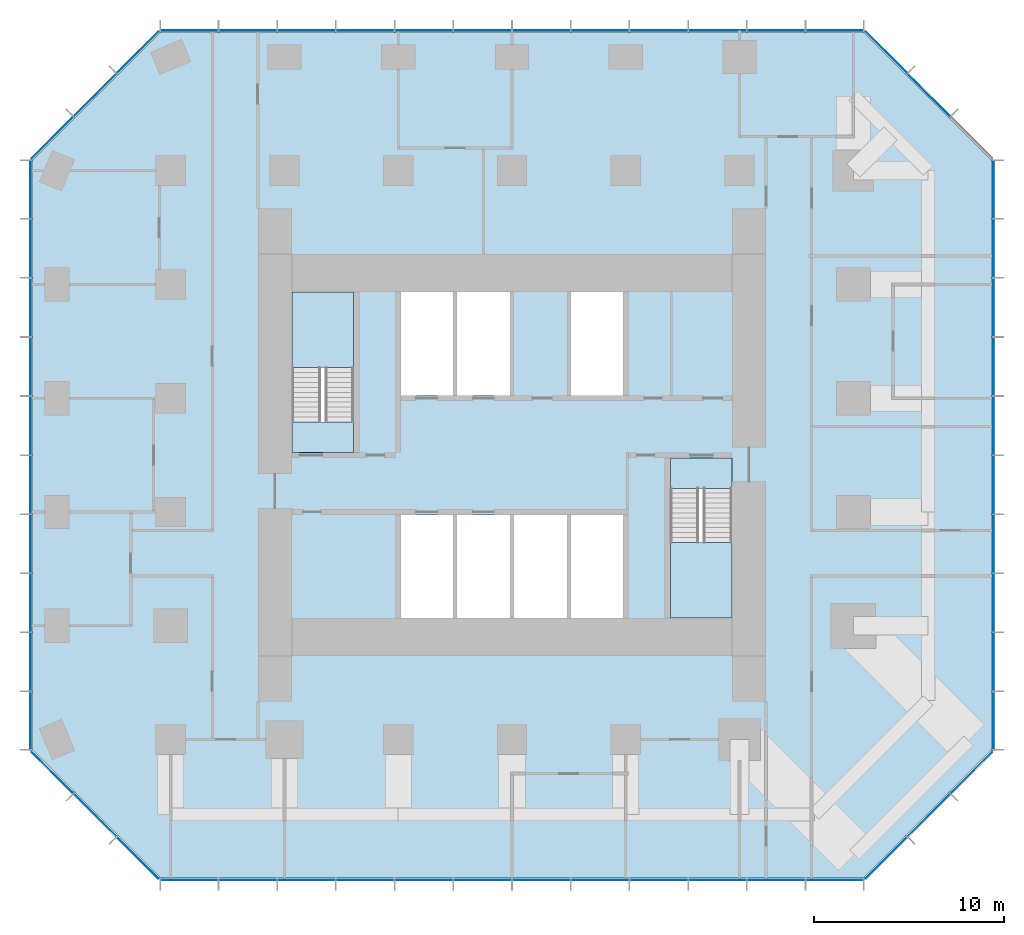
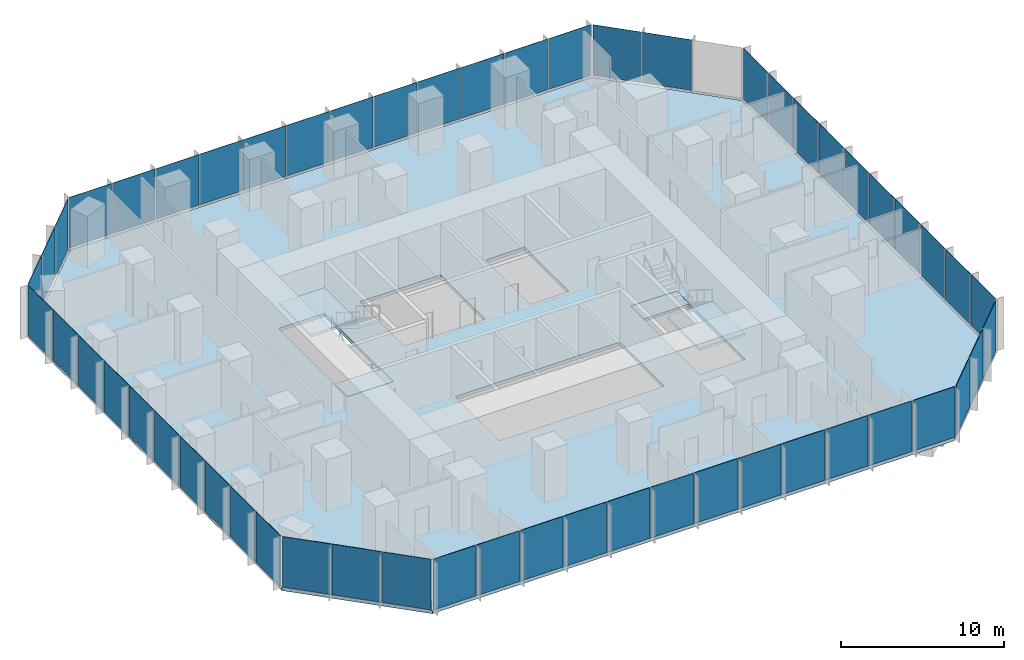
# One storey, part 7 of 11: 55 plates, 5 slabs, 10 elements without a shape of their own.
"""IFC4 building model written with IfcOpenShell, lengths in metres."""

from ifc_helpers import new_model, si_unit, direction, frame, origin, origin_2d, place, context, subcontext, project, spatial, polyline, rectangle, outline, extrude, material, layer, layer_set, type_object, element, aggregate, save


model = new_model("IFC4")

# Units and contexts
model_context = context("Model", 3, precision=1e-05, world=origin(), true_north=direction((0.0, 1.0)))
body_context = subcontext(model_context, "Body", "Model", "MODEL_VIEW")
ifc_project = project(units=[si_unit("LENGTHUNIT", "METRE"), si_unit("AREAUNIT", "SQUARE_METRE"), si_unit("VOLUMEUNIT", "CUBIC_METRE"), si_unit("PLANEANGLEUNIT", "RADIAN"), si_unit("MASSUNIT", "GRAM", prefix="KILO")], contexts=[model_context])

# Site, building, storey
site_placement = place(None, origin())
site = spatial("IfcSite", under=ifc_project, at=site_placement, CompositionType="ELEMENT")
building_placement = place(site_placement, origin())
building = spatial("IfcBuilding", under=site, at=building_placement, Name="Highveld Stack Headquarters", CompositionType="ELEMENT")
storey_placement = place(building_placement, frame((0.0, 0.0, 144.5)))
storey = spatial("IfcBuildingStorey", under=building, at=storey_placement, Name="L35", CompositionType="ELEMENT", Elevation=144.5)

# Curtain wall, plates
ifc_material_1 = material(Name="Aluminium bronze anodised", Category="aluminium")
ifc_layer_1 = layer(ifc_material_1, 0.199951171875)
ifc_layer_set_1 = layer_set([ifc_layer_1], Name="Aluminium bronze anodised")
curtain_wall_type_1 = type_object("IfcCurtainWallType", Name="CW1 TOWER UNITISED CURTAIN WALL", PredefinedType="NOTDEFINED", material=ifc_layer_set_1)
curtain_wall_1_placement = place(storey_placement, origin())
curtain_wall_1 = element("IfcCurtainWall", 1, at=curtain_wall_1_placement, inside=storey, type_object=curtain_wall_type_1, Name="Curtain wall CW1 L35 S", PredefinedType="NOTDEFINED")
ifc_material_2 = material(Name="Glass bronze tinted double glazed unit", Category="glass")
ifc_layer_2 = layer(ifc_material_2, 0.028076171875)
ifc_layer_set_2 = layer_set([ifc_layer_2], Name="Glass bronze tinted double glazed unit")
plate_type_1 = type_object("IfcPlateType", Name="CW1 PANEL BRONZE TINTED DOUBLE GLAZED UNIT", PredefinedType="CURTAIN_PANEL", material=ifc_layer_set_2)
plate_1_placement = place(storey_placement, frame((-11.015380859375, -19.39990234375, 0.10009765625), z_axis=(0.0, 0.0, 1.0), x_axis=(1.0, 0.0, 0.0)))
plate_1 = element("IfcPlate", 2, at=plate_1_placement, type_object=plate_type_1, Name="CW1 panel L35 1.1", PredefinedType="CURTAIN_PANEL", context=body_context, shape_type="SweptSolid", body=[
    extrude(rectangle(XDim=2.9990234375, YDim=0.028076171875, at=origin_2d()), origin(), (0.0, 0.0, 1.0), 3.800048828125),
])
plate_2_placement = place(storey_placement, frame((-7.934814453125, -19.39990234375, 0.10009765625), z_axis=(0.0, 0.0, 1.0), x_axis=(1.0, 0.0, 0.0)))
plate_2 = element("IfcPlate", 3, at=plate_2_placement, type_object=plate_type_1, Name="CW1 panel L35 2.1", PredefinedType="CURTAIN_PANEL", context=body_context, shape_type="SweptSolid", body=[
    extrude(rectangle(XDim=3.031494140625, YDim=0.028076171875, at=origin_2d()), origin(), (0.0, 0.0, 1.0), 3.800048828125),
])
plate_3_placement = place(storey_placement, frame((-4.83837890625, -19.39990234375, 0.10009765625), z_axis=(0.0, 0.0, 1.0), x_axis=(1.0, 0.0, 0.0)))
plate_3 = element("IfcPlate", 4, at=plate_3_placement, type_object=plate_type_1, Name="CW1 panel L35 3.1", PredefinedType="CURTAIN_PANEL", context=body_context, shape_type="SweptSolid", body=[
    extrude(rectangle(XDim=3.031494140625, YDim=0.028076171875, at=origin_2d()), origin(), (0.0, 0.0, 1.0), 3.800048828125),
])
plate_4_placement = place(storey_placement, frame((-1.74169921875, -19.39990234375, 0.10009765625), z_axis=(0.0, 0.0, 1.0), x_axis=(1.0, 0.0, 0.0)))
plate_4 = element("IfcPlate", 5, at=plate_4_placement, type_object=plate_type_1, Name="CW1 panel L35 4.1", PredefinedType="CURTAIN_PANEL", context=body_context, shape_type="SweptSolid", body=[
    extrude(rectangle(XDim=3.031494140625, YDim=0.028076171875, at=origin_2d()), origin(), (0.0, 0.0, 1.0), 3.800048828125),
])
plate_5_placement = place(storey_placement, frame((1.35498046875, -19.39990234375, 0.10009765625), z_axis=(0.0, 0.0, 1.0), x_axis=(1.0, 0.0, 0.0)))
plate_5 = element("IfcPlate", 6, at=plate_5_placement, type_object=plate_type_1, Name="CW1 panel L35 5.1", PredefinedType="CURTAIN_PANEL", context=body_context, shape_type="SweptSolid", body=[
    extrude(rectangle(XDim=3.031494140625, YDim=0.028076171875, at=origin_2d()), origin(), (0.0, 0.0, 1.0), 3.800048828125),
])
plate_6_placement = place(storey_placement, frame((4.45166015625, -19.39990234375, 0.10009765625), z_axis=(0.0, 0.0, 1.0), x_axis=(1.0, 0.0, 0.0)))
plate_6 = element("IfcPlate", 7, at=plate_6_placement, type_object=plate_type_1, Name="CW1 panel L35 6.1", PredefinedType="CURTAIN_PANEL", context=body_context, shape_type="SweptSolid", body=[
    extrude(rectangle(XDim=3.031494140625, YDim=0.028076171875, at=origin_2d()), origin(), (0.0, 0.0, 1.0), 3.800048828125),
])
plate_7_placement = place(storey_placement, frame((7.54833984375, -19.39990234375, 0.10009765625), z_axis=(0.0, 0.0, 1.0), x_axis=(1.0, 0.0, 0.0)))
plate_7 = element("IfcPlate", 8, at=plate_7_placement, type_object=plate_type_1, Name="CW1 panel L35 7.1", PredefinedType="CURTAIN_PANEL", context=body_context, shape_type="SweptSolid", body=[
    extrude(rectangle(XDim=3.03173828125, YDim=0.028076171875, at=origin_2d()), origin(), (0.0, 0.0, 1.0), 3.800048828125),
])
plate_8_placement = place(storey_placement, frame((10.64501953125, -19.39990234375, 0.10009765625), z_axis=(0.0, 0.0, 1.0), x_axis=(1.0, 0.0, 0.0)))
plate_8 = element("IfcPlate", 9, at=plate_8_placement, type_object=plate_type_1, Name="CW1 panel L35 8.1", PredefinedType="CURTAIN_PANEL", context=body_context, shape_type="SweptSolid", body=[
    extrude(rectangle(XDim=3.03173828125, YDim=0.028076171875, at=origin_2d()), origin(), (0.0, 0.0, 1.0), 3.800048828125),
])
plate_9_placement = place(storey_placement, frame((13.74169921875, -19.39990234375, 0.10009765625), z_axis=(0.0, 0.0, 1.0), x_axis=(1.0, 0.0, 0.0)))
plate_9 = element("IfcPlate", 10, at=plate_9_placement, type_object=plate_type_1, Name="CW1 panel L35 9.1", PredefinedType="CURTAIN_PANEL", context=body_context, shape_type="SweptSolid", body=[
    extrude(rectangle(XDim=3.03173828125, YDim=0.028076171875, at=origin_2d()), origin(), (0.0, 0.0, 1.0), 3.800048828125),
])
plate_10_placement = place(storey_placement, frame((16.83837890625, -19.39990234375, 0.10009765625), z_axis=(0.0, 0.0, 1.0), x_axis=(1.0, 0.0, 0.0)))
plate_10 = element("IfcPlate", 11, at=plate_10_placement, type_object=plate_type_1, Name="CW1 panel L35 10.1", PredefinedType="CURTAIN_PANEL", context=body_context, shape_type="SweptSolid", body=[
    extrude(rectangle(XDim=3.03173828125, YDim=0.028076171875, at=origin_2d()), origin(), (0.0, 0.0, 1.0), 3.800048828125),
])
plate_11_placement = place(storey_placement, frame((19.934814453125, -19.39990234375, 0.10009765625), z_axis=(0.0, 0.0, 1.0), x_axis=(1.0, 0.0, 0.0)))
plate_11 = element("IfcPlate", 12, at=plate_11_placement, type_object=plate_type_1, Name="CW1 panel L35 11.1", PredefinedType="CURTAIN_PANEL", context=body_context, shape_type="SweptSolid", body=[
    extrude(rectangle(XDim=3.03173828125, YDim=0.028076171875, at=origin_2d()), origin(), (0.0, 0.0, 1.0), 3.800048828125),
])
plate_12_placement = place(storey_placement, frame((23.015380859375, -19.39990234375, 0.10009765625), z_axis=(0.0, 0.0, 1.0), x_axis=(1.0, 0.0, 0.0)))
plate_12 = element("IfcPlate", 13, at=plate_12_placement, type_object=plate_type_1, Name="CW1 panel L35 12.1", PredefinedType="CURTAIN_PANEL", context=body_context, shape_type="SweptSolid", body=[
    extrude(rectangle(XDim=2.999267578125, YDim=0.028076171875, at=origin_2d()), origin(), (0.0, 0.0, 1.0), 3.800048828125),
])
aggregate(curtain_wall_1, [plate_1, plate_2, plate_3, plate_4, plate_5, plate_6, plate_7, plate_8, plate_9, plate_10, plate_11, plate_12])

curtain_wall_2_placement = place(storey_placement, origin())
curtain_wall_2 = element("IfcCurtainWall", 14, at=curtain_wall_2_placement, inside=storey, type_object=curtain_wall_type_1, Name="Curtain wall CW1 L35 E", PredefinedType="NOTDEFINED")
plate_13_placement = place(storey_placement, frame((31.39990234375, -11.005615234375, 0.10009765625), z_axis=(0.0, 0.0, 1.0), x_axis=(0.0, 1.0, 0.0)))
plate_13 = element("IfcPlate", 15, at=plate_13_placement, type_object=plate_type_1, Name="CW1 panel L35 1.1", PredefinedType="CURTAIN_PANEL", context=body_context, shape_type="SweptSolid", body=[
    extrude(rectangle(XDim=3.0185546875, YDim=0.028076171875, at=origin_2d()), origin(), (0.0, 0.0, 1.0), 3.800048828125),
])
plate_14_placement = place(storey_placement, frame((31.39990234375, -7.906005859375, 0.10009765625), z_axis=(0.0, 0.0, 1.0), x_axis=(0.0, 1.0, 0.0)))
plate_14 = element("IfcPlate", 16, at=plate_14_placement, type_object=plate_type_1, Name="CW1 panel L35 2.1", PredefinedType="CURTAIN_PANEL", context=body_context, shape_type="SweptSolid", body=[
    extrude(rectangle(XDim=3.051025390625, YDim=0.028076171875, at=origin_2d()), origin(), (0.0, 0.0, 1.0), 3.800048828125),
])
plate_15_placement = place(storey_placement, frame((31.39990234375, -4.7900390625, 0.10009765625), z_axis=(0.0, 0.0, 1.0), x_axis=(0.0, 1.0, 0.0)))
plate_15 = element("IfcPlate", 17, at=plate_15_placement, type_object=plate_type_1, Name="CW1 panel L35 3.1", PredefinedType="CURTAIN_PANEL", context=body_context, shape_type="SweptSolid", body=[
    extrude(rectangle(XDim=3.051025390625, YDim=0.028076171875, at=origin_2d()), origin(), (0.0, 0.0, 1.0), 3.800048828125),
])
plate_16_placement = place(storey_placement, frame((31.39990234375, -1.674072265625, 0.10009765625), z_axis=(0.0, 0.0, 1.0), x_axis=(0.0, 1.0, 0.0)))
plate_16 = element("IfcPlate", 18, at=plate_16_placement, type_object=plate_type_1, Name="CW1 panel L35 4.1", PredefinedType="CURTAIN_PANEL", context=body_context, shape_type="SweptSolid", body=[
    extrude(rectangle(XDim=3.051025390625, YDim=0.028076171875, at=origin_2d()), origin(), (0.0, 0.0, 1.0), 3.800048828125),
])
plate_17_placement = place(storey_placement, frame((31.39990234375, 1.44189453125, 0.10009765625), z_axis=(0.0, 0.0, 1.0), x_axis=(0.0, 1.0, 0.0)))
plate_17 = element("IfcPlate", 19, at=plate_17_placement, type_object=plate_type_1, Name="CW1 panel L35 5.1", PredefinedType="CURTAIN_PANEL", context=body_context, shape_type="SweptSolid", body=[
    extrude(rectangle(XDim=3.051025390625, YDim=0.028076171875, at=origin_2d()), origin(), (0.0, 0.0, 1.0), 3.800048828125),
])
plate_18_placement = place(storey_placement, frame((31.39990234375, 4.55810546875, 0.10009765625), z_axis=(0.0, 0.0, 1.0), x_axis=(0.0, 1.0, 0.0)))
plate_18 = element("IfcPlate", 20, at=plate_18_placement, type_object=plate_type_1, Name="CW1 panel L35 6.1", PredefinedType="CURTAIN_PANEL", context=body_context, shape_type="SweptSolid", body=[
    extrude(rectangle(XDim=3.051025390625, YDim=0.028076171875, at=origin_2d()), origin(), (0.0, 0.0, 1.0), 3.800048828125),
])
plate_19_placement = place(storey_placement, frame((31.39990234375, 7.674072265625, 0.10009765625), z_axis=(0.0, 0.0, 1.0), x_axis=(0.0, 1.0, 0.0)))
plate_19 = element("IfcPlate", 21, at=plate_19_placement, type_object=plate_type_1, Name="CW1 panel L35 7.1", PredefinedType="CURTAIN_PANEL", context=body_context, shape_type="SweptSolid", body=[
    extrude(rectangle(XDim=3.051025390625, YDim=0.028076171875, at=origin_2d()), origin(), (0.0, 0.0, 1.0), 3.800048828125),
])
plate_20_placement = place(storey_placement, frame((31.39990234375, 10.789794921875, 0.10009765625), z_axis=(0.0, 0.0, 1.0), x_axis=(0.0, 1.0, 0.0)))
plate_20 = element("IfcPlate", 22, at=plate_20_placement, type_object=plate_type_1, Name="CW1 panel L35 8.1", PredefinedType="CURTAIN_PANEL", context=body_context, shape_type="SweptSolid", body=[
    extrude(rectangle(XDim=3.051025390625, YDim=0.028076171875, at=origin_2d()), origin(), (0.0, 0.0, 1.0), 3.800048828125),
])
plate_21_placement = place(storey_placement, frame((31.39990234375, 13.906005859375, 0.10009765625), z_axis=(0.0, 0.0, 1.0), x_axis=(0.0, 1.0, 0.0)))
plate_21 = element("IfcPlate", 23, at=plate_21_placement, type_object=plate_type_1, Name="CW1 panel L35 9.1", PredefinedType="CURTAIN_PANEL", context=body_context, shape_type="SweptSolid", body=[
    extrude(rectangle(XDim=3.051025390625, YDim=0.028076171875, at=origin_2d()), origin(), (0.0, 0.0, 1.0), 3.800048828125),
])
plate_22_placement = place(storey_placement, frame((31.39990234375, 17.005615234375, 0.10009765625), z_axis=(0.0, 0.0, 1.0), x_axis=(0.0, 1.0, 0.0)))
plate_22 = element("IfcPlate", 24, at=plate_22_placement, type_object=plate_type_1, Name="CW1 panel L35 10.1", PredefinedType="CURTAIN_PANEL", context=body_context, shape_type="SweptSolid", body=[
    extrude(rectangle(XDim=3.0185546875, YDim=0.028076171875, at=origin_2d()), origin(), (0.0, 0.0, 1.0), 3.800048828125),
])
aggregate(curtain_wall_2, [plate_13, plate_14, plate_15, plate_16, plate_17, plate_18, plate_19, plate_20, plate_21, plate_22])

curtain_wall_3_placement = place(storey_placement, origin())
curtain_wall_3 = element("IfcCurtainWall", 25, at=curtain_wall_3_placement, inside=storey, type_object=curtain_wall_type_1, Name="Curtain wall CW1 L35 N", PredefinedType="NOTDEFINED")
plate_23_placement = place(storey_placement, frame((23.015380859375, 25.39990234375, 0.10009765625), z_axis=(0.0, 0.0, 1.0), x_axis=(-1.0, 0.0, 0.0)))
plate_23 = element("IfcPlate", 26, at=plate_23_placement, type_object=plate_type_1, Name="CW1 panel L35 1.1", PredefinedType="CURTAIN_PANEL", context=body_context, shape_type="SweptSolid", body=[
    extrude(rectangle(XDim=2.9990234375, YDim=0.028076171875, at=origin_2d()), origin(), (0.0, 0.0, 1.0), 3.800048828125),
])
plate_24_placement = place(storey_placement, frame((19.934814453125, 25.39990234375, 0.10009765625), z_axis=(0.0, 0.0, 1.0), x_axis=(-1.0, 0.0, 0.0)))
plate_24 = element("IfcPlate", 27, at=plate_24_placement, type_object=plate_type_1, Name="CW1 panel L35 2.1", PredefinedType="CURTAIN_PANEL", context=body_context, shape_type="SweptSolid", body=[
    extrude(rectangle(XDim=3.031494140625, YDim=0.028076171875, at=origin_2d()), origin(), (0.0, 0.0, 1.0), 3.800048828125),
])
plate_25_placement = place(storey_placement, frame((16.83837890625, 25.39990234375, 0.10009765625), z_axis=(0.0, 0.0, 1.0), x_axis=(-1.0, 0.0, 0.0)))
plate_25 = element("IfcPlate", 28, at=plate_25_placement, type_object=plate_type_1, Name="CW1 panel L35 3.1", PredefinedType="CURTAIN_PANEL", context=body_context, shape_type="SweptSolid", body=[
    extrude(rectangle(XDim=3.031494140625, YDim=0.028076171875, at=origin_2d()), origin(), (0.0, 0.0, 1.0), 3.800048828125),
])
plate_26_placement = place(storey_placement, frame((13.74169921875, 25.39990234375, 0.10009765625), z_axis=(0.0, 0.0, 1.0), x_axis=(-1.0, 0.0, 0.0)))
plate_26 = element("IfcPlate", 29, at=plate_26_placement, type_object=plate_type_1, Name="CW1 panel L35 4.1", PredefinedType="CURTAIN_PANEL", context=body_context, shape_type="SweptSolid", body=[
    extrude(rectangle(XDim=3.031494140625, YDim=0.028076171875, at=origin_2d()), origin(), (0.0, 0.0, 1.0), 3.800048828125),
])
plate_27_placement = place(storey_placement, frame((10.64501953125, 25.39990234375, 0.10009765625), z_axis=(0.0, 0.0, 1.0), x_axis=(-1.0, 0.0, 0.0)))
plate_27 = element("IfcPlate", 30, at=plate_27_placement, type_object=plate_type_1, Name="CW1 panel L35 5.1", PredefinedType="CURTAIN_PANEL", context=body_context, shape_type="SweptSolid", body=[
    extrude(rectangle(XDim=3.031494140625, YDim=0.028076171875, at=origin_2d()), origin(), (0.0, 0.0, 1.0), 3.800048828125),
])
plate_28_placement = place(storey_placement, frame((7.54833984375, 25.39990234375, 0.10009765625), z_axis=(0.0, 0.0, 1.0), x_axis=(-1.0, 0.0, 0.0)))
plate_28 = element("IfcPlate", 31, at=plate_28_placement, type_object=plate_type_1, Name="CW1 panel L35 6.1", PredefinedType="CURTAIN_PANEL", context=body_context, shape_type="SweptSolid", body=[
    extrude(rectangle(XDim=3.031494140625, YDim=0.028076171875, at=origin_2d()), origin(), (0.0, 0.0, 1.0), 3.800048828125),
])
plate_29_placement = place(storey_placement, frame((4.45166015625, 25.39990234375, 0.10009765625), z_axis=(0.0, 0.0, 1.0), x_axis=(-1.0, 0.0, 0.0)))
plate_29 = element("IfcPlate", 32, at=plate_29_placement, type_object=plate_type_1, Name="CW1 panel L35 7.1", PredefinedType="CURTAIN_PANEL", context=body_context, shape_type="SweptSolid", body=[
    extrude(rectangle(XDim=3.03173828125, YDim=0.028076171875, at=origin_2d()), origin(), (0.0, 0.0, 1.0), 3.800048828125),
])
plate_30_placement = place(storey_placement, frame((1.35498046875, 25.39990234375, 0.10009765625), z_axis=(0.0, 0.0, 1.0), x_axis=(-1.0, 0.0, 0.0)))
plate_30 = element("IfcPlate", 33, at=plate_30_placement, type_object=plate_type_1, Name="CW1 panel L35 8.1", PredefinedType="CURTAIN_PANEL", context=body_context, shape_type="SweptSolid", body=[
    extrude(rectangle(XDim=3.03173828125, YDim=0.028076171875, at=origin_2d()), origin(), (0.0, 0.0, 1.0), 3.800048828125),
])
plate_31_placement = place(storey_placement, frame((-1.74169921875, 25.39990234375, 0.10009765625), z_axis=(0.0, 0.0, 1.0), x_axis=(-1.0, 0.0, 0.0)))
plate_31 = element("IfcPlate", 34, at=plate_31_placement, type_object=plate_type_1, Name="CW1 panel L35 9.1", PredefinedType="CURTAIN_PANEL", context=body_context, shape_type="SweptSolid", body=[
    extrude(rectangle(XDim=3.03173828125, YDim=0.028076171875, at=origin_2d()), origin(), (0.0, 0.0, 1.0), 3.800048828125),
])
plate_32_placement = place(storey_placement, frame((-4.83837890625, 25.39990234375, 0.10009765625), z_axis=(0.0, 0.0, 1.0), x_axis=(-1.0, 0.0, 0.0)))
plate_32 = element("IfcPlate", 35, at=plate_32_placement, type_object=plate_type_1, Name="CW1 panel L35 10.1", PredefinedType="CURTAIN_PANEL", context=body_context, shape_type="SweptSolid", body=[
    extrude(rectangle(XDim=3.03173828125, YDim=0.028076171875, at=origin_2d()), origin(), (0.0, 0.0, 1.0), 3.800048828125),
])
plate_33_placement = place(storey_placement, frame((-7.934814453125, 25.39990234375, 0.10009765625), z_axis=(0.0, 0.0, 1.0), x_axis=(-1.0, 0.0, 0.0)))
plate_33 = element("IfcPlate", 36, at=plate_33_placement, type_object=plate_type_1, Name="CW1 panel L35 11.1", PredefinedType="CURTAIN_PANEL", context=body_context, shape_type="SweptSolid", body=[
    extrude(rectangle(XDim=3.03173828125, YDim=0.028076171875, at=origin_2d()), origin(), (0.0, 0.0, 1.0), 3.800048828125),
])
plate_34_placement = place(storey_placement, frame((-11.015380859375, 25.39990234375, 0.10009765625), z_axis=(0.0, 0.0, 1.0), x_axis=(-1.0, 0.0, 0.0)))
plate_34 = element("IfcPlate", 37, at=plate_34_placement, type_object=plate_type_1, Name="CW1 panel L35 12.1", PredefinedType="CURTAIN_PANEL", context=body_context, shape_type="SweptSolid", body=[
    extrude(rectangle(XDim=2.999267578125, YDim=0.028076171875, at=origin_2d()), origin(), (0.0, 0.0, 1.0), 3.800048828125),
])
aggregate(curtain_wall_3, [plate_23, plate_24, plate_25, plate_26, plate_27, plate_28, plate_29, plate_30, plate_31, plate_32, plate_33, plate_34])

curtain_wall_4_placement = place(storey_placement, origin())
curtain_wall_4 = element("IfcCurtainWall", 38, at=curtain_wall_4_placement, inside=storey, type_object=curtain_wall_type_1, Name="Curtain wall CW1 L35 W", PredefinedType="NOTDEFINED")
plate_35_placement = place(storey_placement, frame((-19.39990234375, 17.005615234375, 0.10009765625), z_axis=(0.0, 0.0, 1.0), x_axis=(0.0, -1.0, 0.0)))
plate_35 = element("IfcPlate", 39, at=plate_35_placement, type_object=plate_type_1, Name="CW1 panel L35 1.1", PredefinedType="CURTAIN_PANEL", context=body_context, shape_type="SweptSolid", body=[
    extrude(rectangle(XDim=3.0185546875, YDim=0.028076171875, at=origin_2d()), origin(), (0.0, 0.0, 1.0), 3.800048828125),
])
plate_36_placement = place(storey_placement, frame((-19.39990234375, 13.906005859375, 0.10009765625), z_axis=(0.0, 0.0, 1.0), x_axis=(0.0, -1.0, 0.0)))
plate_36 = element("IfcPlate", 40, at=plate_36_placement, type_object=plate_type_1, Name="CW1 panel L35 2.1", PredefinedType="CURTAIN_PANEL", context=body_context, shape_type="SweptSolid", body=[
    extrude(rectangle(XDim=3.051025390625, YDim=0.028076171875, at=origin_2d()), origin(), (0.0, 0.0, 1.0), 3.800048828125),
])
plate_37_placement = place(storey_placement, frame((-19.39990234375, 10.7900390625, 0.10009765625), z_axis=(0.0, 0.0, 1.0), x_axis=(0.0, -1.0, 0.0)))
plate_37 = element("IfcPlate", 41, at=plate_37_placement, type_object=plate_type_1, Name="CW1 panel L35 3.1", PredefinedType="CURTAIN_PANEL", context=body_context, shape_type="SweptSolid", body=[
    extrude(rectangle(XDim=3.051025390625, YDim=0.028076171875, at=origin_2d()), origin(), (0.0, 0.0, 1.0), 3.800048828125),
])
plate_38_placement = place(storey_placement, frame((-19.39990234375, 7.674072265625, 0.10009765625), z_axis=(0.0, 0.0, 1.0), x_axis=(0.0, -1.0, 0.0)))
plate_38 = element("IfcPlate", 42, at=plate_38_placement, type_object=plate_type_1, Name="CW1 panel L35 4.1", PredefinedType="CURTAIN_PANEL", context=body_context, shape_type="SweptSolid", body=[
    extrude(rectangle(XDim=3.051025390625, YDim=0.028076171875, at=origin_2d()), origin(), (0.0, 0.0, 1.0), 3.800048828125),
])
plate_39_placement = place(storey_placement, frame((-19.39990234375, 4.55810546875, 0.10009765625), z_axis=(0.0, 0.0, 1.0), x_axis=(0.0, -1.0, 0.0)))
plate_39 = element("IfcPlate", 43, at=plate_39_placement, type_object=plate_type_1, Name="CW1 panel L35 5.1", PredefinedType="CURTAIN_PANEL", context=body_context, shape_type="SweptSolid", body=[
    extrude(rectangle(XDim=3.051025390625, YDim=0.028076171875, at=origin_2d()), origin(), (0.0, 0.0, 1.0), 3.800048828125),
])
plate_40_placement = place(storey_placement, frame((-19.39990234375, 1.44189453125, 0.10009765625), z_axis=(0.0, 0.0, 1.0), x_axis=(0.0, -1.0, 0.0)))
plate_40 = element("IfcPlate", 44, at=plate_40_placement, type_object=plate_type_1, Name="CW1 panel L35 6.1", PredefinedType="CURTAIN_PANEL", context=body_context, shape_type="SweptSolid", body=[
    extrude(rectangle(XDim=3.051025390625, YDim=0.028076171875, at=origin_2d()), origin(), (0.0, 0.0, 1.0), 3.800048828125),
])
plate_41_placement = place(storey_placement, frame((-19.39990234375, -1.674072265625, 0.10009765625), z_axis=(0.0, 0.0, 1.0), x_axis=(0.0, -1.0, 0.0)))
plate_41 = element("IfcPlate", 45, at=plate_41_placement, type_object=plate_type_1, Name="CW1 panel L35 7.1", PredefinedType="CURTAIN_PANEL", context=body_context, shape_type="SweptSolid", body=[
    extrude(rectangle(XDim=3.051025390625, YDim=0.028076171875, at=origin_2d()), origin(), (0.0, 0.0, 1.0), 3.800048828125),
])
plate_42_placement = place(storey_placement, frame((-19.39990234375, -4.789794921875, 0.10009765625), z_axis=(0.0, 0.0, 1.0), x_axis=(0.0, -1.0, 0.0)))
plate_42 = element("IfcPlate", 46, at=plate_42_placement, type_object=plate_type_1, Name="CW1 panel L35 8.1", PredefinedType="CURTAIN_PANEL", context=body_context, shape_type="SweptSolid", body=[
    extrude(rectangle(XDim=3.051025390625, YDim=0.028076171875, at=origin_2d()), origin(), (0.0, 0.0, 1.0), 3.800048828125),
])
plate_43_placement = place(storey_placement, frame((-19.39990234375, -7.906005859375, 0.10009765625), z_axis=(0.0, 0.0, 1.0), x_axis=(0.0, -1.0, 0.0)))
plate_43 = element("IfcPlate", 47, at=plate_43_placement, type_object=plate_type_1, Name="CW1 panel L35 9.1", PredefinedType="CURTAIN_PANEL", context=body_context, shape_type="SweptSolid", body=[
    extrude(rectangle(XDim=3.051025390625, YDim=0.028076171875, at=origin_2d()), origin(), (0.0, 0.0, 1.0), 3.800048828125),
])
plate_44_placement = place(storey_placement, frame((-19.39990234375, -11.005615234375, 0.10009765625), z_axis=(0.0, 0.0, 1.0), x_axis=(0.0, -1.0, 0.0)))
plate_44 = element("IfcPlate", 48, at=plate_44_placement, type_object=plate_type_1, Name="CW1 panel L35 10.1", PredefinedType="CURTAIN_PANEL", context=body_context, shape_type="SweptSolid", body=[
    extrude(rectangle(XDim=3.0185546875, YDim=0.028076171875, at=origin_2d()), origin(), (0.0, 0.0, 1.0), 3.800048828125),
])
aggregate(curtain_wall_4, [plate_35, plate_36, plate_37, plate_38, plate_39, plate_40, plate_41, plate_42, plate_43, plate_44])

ifc_material_3 = material(Name="Aluminium bronze anodised", Category="aluminium")
ifc_layer_3 = layer(ifc_material_3, 0.199951171875)
ifc_layer_set_3 = layer_set([ifc_layer_3], Name="Aluminium bronze anodised")
curtain_wall_type_2 = type_object("IfcCurtainWallType", Name="CW2 TOWER CHAMFER UNITISED CURTAIN WALL", PredefinedType="NOTDEFINED", material=ifc_layer_set_3)
curtain_wall_5_placement = place(storey_placement, origin())
curtain_wall_5 = element("IfcCurtainWall", 49, at=curtain_wall_5_placement, inside=storey, type_object=curtain_wall_type_2, Name="Curtain wall CW2 L35 SE", PredefinedType="NOTDEFINED")
ifc_material_4 = material(Name="Glass bronze tinted double glazed unit", Category="glass")
ifc_layer_4 = layer(ifc_material_4, 0.028076171875)
ifc_layer_set_4 = layer_set([ifc_layer_4], Name="Glass bronze tinted double glazed unit")
plate_type_2 = type_object("IfcPlateType", Name="CW2 PANEL BRONZE TINTED DOUBLE GLAZED UNIT", PredefinedType="CURTAIN_PANEL", material=ifc_layer_set_4)
plate_45_placement = place(storey_placement, frame((25.740478515625, -18.239501953125, 0.10009765625), z_axis=(0.0, 0.0, 1.0), x_axis=(0.707106781187, 0.707106781187, 0.0)))
plate_45 = element("IfcPlate", 50, at=plate_45_placement, type_object=plate_type_2, Name="CW2 panel L35 1.1", PredefinedType="CURTAIN_PANEL", context=body_context, shape_type="SweptSolid", body=[
    extrude(rectangle(XDim=3.08251953125, YDim=0.028076171875, at=origin_2d()), origin(), (0.0, 0.0, 1.0), 3.800048828125),
])
plate_46_placement = place(storey_placement, frame((27.989990234375, -15.989990234375, 0.10009765625), z_axis=(0.0, 0.0, 1.0), x_axis=(0.707106781187, 0.707106781187, 0.0)))
plate_46 = element("IfcPlate", 51, at=plate_46_placement, type_object=plate_type_2, Name="CW2 panel L35 2.1", PredefinedType="CURTAIN_PANEL", context=body_context, shape_type="SweptSolid", body=[
    extrude(rectangle(XDim=3.14990234375, YDim=0.028076171875, at=origin_2d()), origin(), (0.0, 0.0, 1.0), 3.800048828125),
])
plate_47_placement = place(storey_placement, frame((30.239501953125, -13.740478515625, 0.10009765625), z_axis=(0.0, 0.0, 1.0), x_axis=(0.707106781187, 0.707106781187, 0.0)))
plate_47 = element("IfcPlate", 52, at=plate_47_placement, type_object=plate_type_2, Name="CW2 panel L35 3.1", PredefinedType="CURTAIN_PANEL", context=body_context, shape_type="SweptSolid", body=[
    extrude(rectangle(XDim=3.08251953125, YDim=0.028076171875, at=origin_2d()), origin(), (0.0, 0.0, 1.0), 3.800048828125),
])
aggregate(curtain_wall_5, [plate_45, plate_46, plate_47])

curtain_wall_6_placement = place(storey_placement, origin())
curtain_wall_6 = element("IfcCurtainWall", 53, at=curtain_wall_6_placement, inside=storey, type_object=curtain_wall_type_2, Name="Curtain wall CW2 L35 NE", PredefinedType="NOTDEFINED")
plate_48_placement = place(storey_placement, frame((27.989990234375, 21.989990234375, 0.10009765625), z_axis=(0.0, 0.0, 1.0), x_axis=(-0.707106781187, 0.707106781187, 0.0)))
plate_48 = element("IfcPlate", 54, at=plate_48_placement, type_object=plate_type_2, Name="CW2 panel L35 2.1", PredefinedType="CURTAIN_PANEL", context=body_context, shape_type="SweptSolid", body=[
    extrude(rectangle(XDim=3.14990234375, YDim=0.028076171875, at=origin_2d()), origin(), (0.0, 0.0, 1.0), 3.800048828125),
])
plate_49_placement = place(storey_placement, frame((25.740478515625, 24.239501953125, 0.10009765625), z_axis=(0.0, 0.0, 1.0), x_axis=(-0.707106781187, 0.707106781187, 0.0)))
plate_49 = element("IfcPlate", 55, at=plate_49_placement, type_object=plate_type_2, Name="CW2 panel L35 3.1", PredefinedType="CURTAIN_PANEL", context=body_context, shape_type="SweptSolid", body=[
    extrude(rectangle(XDim=3.08251953125, YDim=0.028076171875, at=origin_2d()), origin(), (0.0, 0.0, 1.0), 3.800048828125),
])
aggregate(curtain_wall_6, [plate_48, plate_49])

curtain_wall_7_placement = place(storey_placement, origin())
curtain_wall_7 = element("IfcCurtainWall", 56, at=curtain_wall_7_placement, inside=storey, type_object=curtain_wall_type_2, Name="Curtain wall CW2 L35 NW", PredefinedType="NOTDEFINED")
plate_50_placement = place(storey_placement, frame((-13.740478515625, 24.239501953125, 0.10009765625), z_axis=(0.0, 0.0, 1.0), x_axis=(-0.707106781187, -0.707106781187, 0.0)))
plate_50 = element("IfcPlate", 57, at=plate_50_placement, type_object=plate_type_2, Name="CW2 panel L35 1.1", PredefinedType="CURTAIN_PANEL", context=body_context, shape_type="SweptSolid", body=[
    extrude(rectangle(XDim=3.08251953125, YDim=0.028076171875, at=origin_2d()), origin(), (0.0, 0.0, 1.0), 3.800048828125),
])
plate_51_placement = place(storey_placement, frame((-15.989990234375, 21.989990234375, 0.10009765625), z_axis=(0.0, 0.0, 1.0), x_axis=(-0.707106781187, -0.707106781187, 0.0)))
plate_51 = element("IfcPlate", 58, at=plate_51_placement, type_object=plate_type_2, Name="CW2 panel L35 2.1", PredefinedType="CURTAIN_PANEL", context=body_context, shape_type="SweptSolid", body=[
    extrude(rectangle(XDim=3.14990234375, YDim=0.028076171875, at=origin_2d()), origin(), (0.0, 0.0, 1.0), 3.800048828125),
])
plate_52_placement = place(storey_placement, frame((-18.239501953125, 19.740478515625, 0.10009765625), z_axis=(0.0, 0.0, 1.0), x_axis=(-0.707106781187, -0.707106781187, 0.0)))
plate_52 = element("IfcPlate", 59, at=plate_52_placement, type_object=plate_type_2, Name="CW2 panel L35 3.1", PredefinedType="CURTAIN_PANEL", context=body_context, shape_type="SweptSolid", body=[
    extrude(rectangle(XDim=3.08251953125, YDim=0.028076171875, at=origin_2d()), origin(), (0.0, 0.0, 1.0), 3.800048828125),
])
aggregate(curtain_wall_7, [plate_50, plate_51, plate_52])

curtain_wall_8_placement = place(storey_placement, origin())
curtain_wall_8 = element("IfcCurtainWall", 60, at=curtain_wall_8_placement, inside=storey, type_object=curtain_wall_type_2, Name="Curtain wall CW2 L35 SW", PredefinedType="NOTDEFINED")
plate_53_placement = place(storey_placement, frame((-18.239501953125, -13.740478515625, 0.10009765625), z_axis=(0.0, 0.0, 1.0), x_axis=(0.707106781187, -0.707106781187, 0.0)))
plate_53 = element("IfcPlate", 61, at=plate_53_placement, type_object=plate_type_2, Name="CW2 panel L35 1.1", PredefinedType="CURTAIN_PANEL", context=body_context, shape_type="SweptSolid", body=[
    extrude(rectangle(XDim=3.08251953125, YDim=0.028076171875, at=origin_2d()), origin(), (0.0, 0.0, 1.0), 3.800048828125),
])
plate_54_placement = place(storey_placement, frame((-15.989990234375, -15.989990234375, 0.10009765625), z_axis=(0.0, 0.0, 1.0), x_axis=(0.707106781187, -0.707106781187, 0.0)))
plate_54 = element("IfcPlate", 62, at=plate_54_placement, type_object=plate_type_2, Name="CW2 panel L35 2.1", PredefinedType="CURTAIN_PANEL", context=body_context, shape_type="SweptSolid", body=[
    extrude(rectangle(XDim=3.14990234375, YDim=0.028076171875, at=origin_2d()), origin(), (0.0, 0.0, 1.0), 3.800048828125),
])
plate_55_placement = place(storey_placement, frame((-13.740478515625, -18.239501953125, 0.10009765625), z_axis=(0.0, 0.0, 1.0), x_axis=(0.707106781187, -0.707106781187, 0.0)))
plate_55 = element("IfcPlate", 63, at=plate_55_placement, type_object=plate_type_2, Name="CW2 panel L35 3.1", PredefinedType="CURTAIN_PANEL", context=body_context, shape_type="SweptSolid", body=[
    extrude(rectangle(XDim=3.08251953125, YDim=0.028076171875, at=origin_2d()), origin(), (0.0, 0.0, 1.0), 3.800048828125),
])
aggregate(curtain_wall_8, [plate_53, plate_54, plate_55])

# Slab
ifc_material_5 = material(Name="Concrete C60/75", Category="concrete")
ifc_layer_5 = layer(ifc_material_5, 0.25)
ifc_layer_set_5 = layer_set([ifc_layer_5], Name="Concrete C60/75")
slab_type_1 = type_object("IfcSlabType", Name="PT FLAT SLAB 250", PredefinedType="FLOOR", material=ifc_layer_set_5)
slab_1_placement = place(storey_placement, frame((0.0, 0.0, -0.25)))
element("IfcSlab", 64, at=slab_1_placement, inside=storey, type_object=slab_type_1, Name="Floor slab L35", PredefinedType="FLOOR", context=body_context, shape_type="SweptSolid", body=[
    extrude(outline(polyline([(-12.53857421875, -19.300048828125), (24.53857421875, -19.300048828125), (31.300048828125, -12.53857421875), (31.300048828125, 18.53857421875), (24.53857421875, 25.300048828125), (-12.53857421875, 25.300048828125), (-19.300048828125, 18.53857421875), (-19.300048828125, -12.53857421875), (-12.53857421875, -19.300048828125)]), holes=[polyline([(0.14990234375, 6.14990234375), (5.89990234375, 6.14990234375), (5.89990234375, 11.60009765625), (0.14990234375, 11.60009765625), (0.14990234375, 6.14990234375)]), polyline([(9.10009765625, 6.14990234375), (11.85009765625, 6.14990234375), (11.85009765625, 11.60009765625), (9.10009765625, 11.60009765625), (9.10009765625, 6.14990234375)]), polyline([(0.14990234375, -5.60009765625), (11.85009765625, -5.60009765625), (11.85009765625, -0.14990234375), (0.14990234375, -0.14990234375), (0.14990234375, -5.60009765625)]), polyline([(-5.60009765625, 3.14990234375), (-2.35009765625, 3.14990234375), (-2.35009765625, 11.60009765625), (-5.60009765625, 11.60009765625), (-5.60009765625, 3.14990234375)]), polyline([(14.35009765625, -5.60009765625), (17.60009765625, -5.60009765625), (17.60009765625, 2.85009765625), (14.35009765625, 2.85009765625), (14.35009765625, -5.60009765625)])]), origin(), (0.0, 0.0, 1.0), 0.25),
])

# Stair, slabs
ifc_material_6 = material(Name="Concrete C40/50, precast", Category="concrete")
stair_type_1 = type_object("IfcStairType", Name="STAIR S1 HALF TURN 1500", PredefinedType="HALF_TURN_STAIR", material=ifc_material_6)
stair_1_placement = place(storey_placement, origin())
stair_1 = element("IfcStair", 65, at=stair_1_placement, inside=storey, type_object=stair_type_1, Name="Stair S1 L35", PredefinedType="HALF_TURN_STAIR")
ifc_material_7 = material(Name="Concrete C40/50, precast", Category="concrete")
ifc_layer_6 = layer(ifc_material_7, 0.199951171875)
ifc_layer_set_6 = layer_set([ifc_layer_6], Name="Concrete C40/50, precast")
slab_type_2 = type_object("IfcSlabType", Name="STAIR LANDING 200", PredefinedType="LANDING", material=ifc_layer_set_6)
slab_2_placement = place(storey_placement, frame((0.0, 0.0, 1.75)))
slab_2 = element("IfcSlab", 66, at=slab_2_placement, type_object=slab_type_2, Name="S1 landing 1", PredefinedType="LANDING", context=body_context, shape_type="SweptSolid", body=[
    extrude(outline(polyline([(-5.60009765625, 7.610107421875), (-2.35009765625, 7.610107421875), (-2.35009765625, 11.60009765625), (-5.60009765625, 11.60009765625), (-5.60009765625, 7.610107421875)])), origin(), (0.0, 0.0, 1.0), 0.199951171875),
])
slab_3_placement = place(storey_placement, frame((0.0, 0.0, -0.199951171875)))
slab_3 = element("IfcSlab", 67, at=slab_3_placement, type_object=slab_type_2, Name="S1 landing 2", PredefinedType="LANDING", context=body_context, shape_type="SweptSolid", body=[
    extrude(outline(polyline([(-5.60009765625, 3.14990234375), (-2.35009765625, 3.14990234375), (-2.35009765625, 4.75), (-5.60009765625, 4.75), (-5.60009765625, 3.14990234375)])), origin(), (0.0, 0.0, 1.0), 0.199951171875),
])
aggregate(stair_1, [slab_2, slab_3])

ifc_material_8 = material(Name="Concrete C40/50, precast", Category="concrete")
stair_type_2 = type_object("IfcStairType", Name="STAIR S2 HALF TURN 1500", PredefinedType="HALF_TURN_STAIR", material=ifc_material_8)
stair_2_placement = place(storey_placement, origin())
stair_2 = element("IfcStair", 68, at=stair_2_placement, inside=storey, type_object=stair_type_2, Name="Stair S2 L35", PredefinedType="HALF_TURN_STAIR")
slab_4_placement = place(storey_placement, frame((0.0, 0.0, 1.75)))
slab_4 = element("IfcSlab", 69, at=slab_4_placement, type_object=slab_type_2, Name="S2 landing 1", PredefinedType="LANDING", context=body_context, shape_type="SweptSolid", body=[
    extrude(outline(polyline([(14.35009765625, -5.60009765625), (17.60009765625, -5.60009765625), (17.60009765625, -1.610107421875), (14.35009765625, -1.610107421875), (14.35009765625, -5.60009765625)])), origin(), (0.0, 0.0, 1.0), 0.199951171875),
])
slab_5_placement = place(storey_placement, frame((0.0, 0.0, -0.199951171875)))
slab_5 = element("IfcSlab", 70, at=slab_5_placement, type_object=slab_type_2, Name="S2 landing 2", PredefinedType="LANDING", context=body_context, shape_type="SweptSolid", body=[
    extrude(outline(polyline([(14.35009765625, 1.25), (17.60009765625, 1.25), (17.60009765625, 2.85009765625), (14.35009765625, 2.85009765625), (14.35009765625, 1.25)])), origin(), (0.0, 0.0, 1.0), 0.199951171875),
])
aggregate(stair_2, [slab_4, slab_5])

save(model, "model.ifc")
